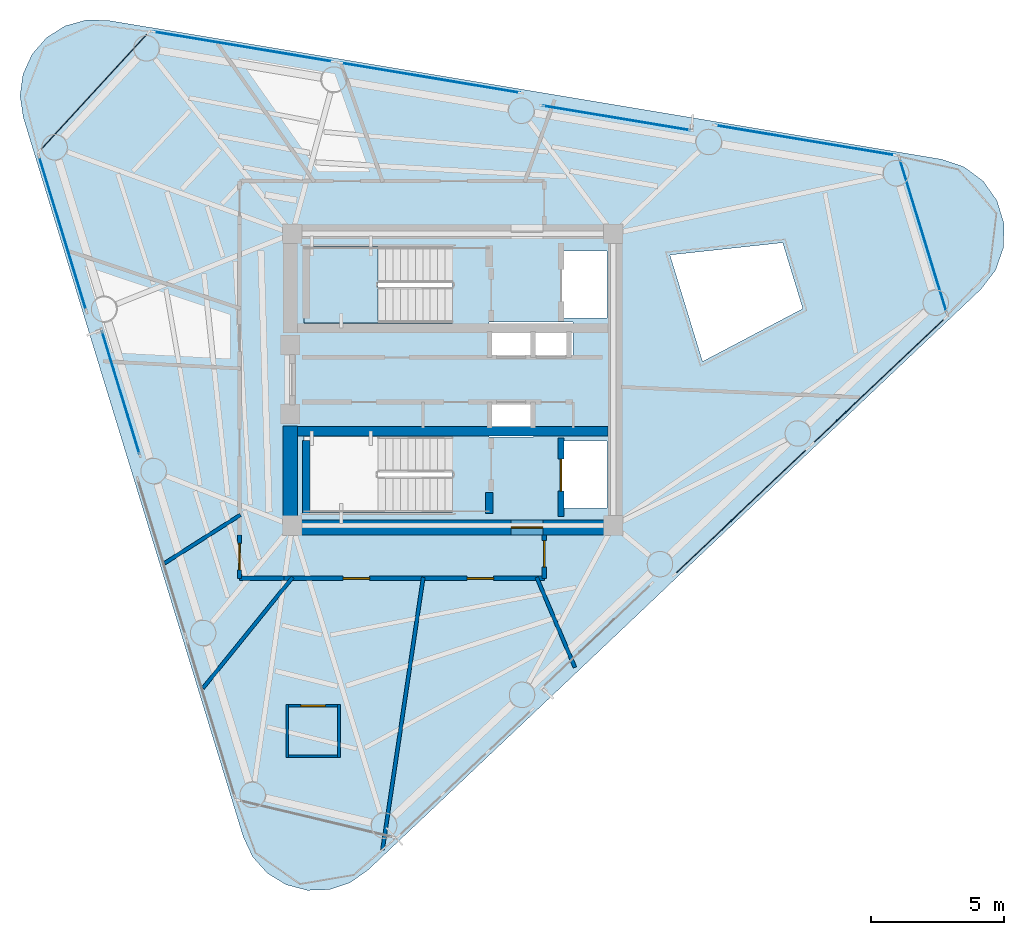
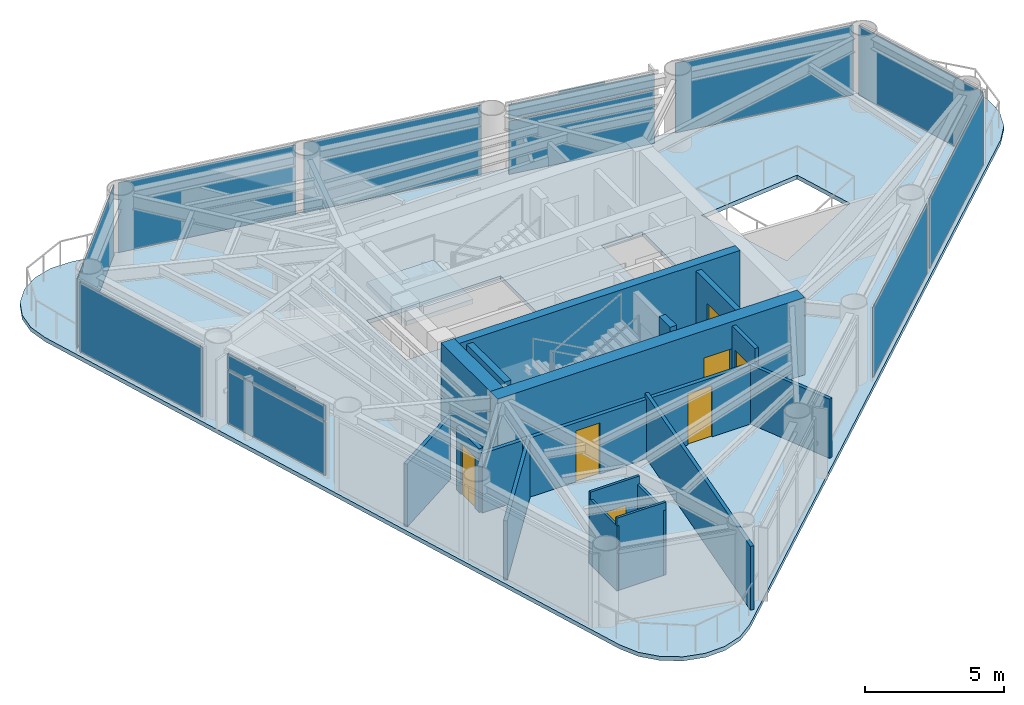
# One storey, part 5 of 9: 18 walls, 14 plates, 7 doors, 2 slabs, 7 openings, 11 elements without a shape of their own.
"""IFC4 building model written with IfcOpenShell, lengths in metres."""

from ifc_helpers import new_model, si_unit, direction, frame, frame_2d, origin, origin_2d, place, context, subcontext, project, spatial, polyline, rectangle, outline, extrude, source, transform, mapped, material, layer, layer_set, type_object, element, fill, aggregate, save


model = new_model("IFC4")

# Units and contexts
model_context = context("Model", 3, precision=1e-05, world=origin(), true_north=direction((0.0, 1.0)))
body_context = subcontext(model_context, "Body", "Model", "MODEL_VIEW")
ifc_project = project(units=[si_unit("LENGTHUNIT", "METRE"), si_unit("AREAUNIT", "SQUARE_METRE"), si_unit("VOLUMEUNIT", "CUBIC_METRE"), si_unit("PLANEANGLEUNIT", "RADIAN"), si_unit("MASSUNIT", "GRAM", prefix="KILO")], contexts=[model_context])

# Site, building, storey
site_placement = place(None, origin())
site = spatial("IfcSite", under=ifc_project, at=site_placement, CompositionType="ELEMENT")
building_placement = place(site_placement, origin())
building = spatial("IfcBuilding", under=site, at=building_placement, Name="Yunling Apex Tower", CompositionType="ELEMENT")
storey_placement = place(building_placement, frame((0.0, 0.0, 228.64990234375)))
storey = spatial("IfcBuildingStorey", under=building, at=storey_placement, Name="L55", CompositionType="ELEMENT", Elevation=228.64990234375)

# Slab
ifc_material_1 = material(Name="Concrete C40", Category="concrete")
ifc_layer_1 = layer(ifc_material_1, 0.155029296875)
ifc_layer_set_1 = layer_set([ifc_layer_1], Name="Concrete C40")
slab_type_1 = type_object("IfcSlabType", Name="SL-FLR-3", PredefinedType="FLOOR", material=ifc_layer_set_1)
slab_1_placement = place(storey_placement, frame((0.0, 0.0, -0.179931640625)))
element("IfcSlab", 1, at=slab_1_placement, inside=storey, type_object=slab_type_1, Name="L55 Composite Tower Floor Slab", PredefinedType="FLOOR", context=body_context, shape_type="SweptSolid", body=[
    extrude(outline(polyline([(-7.894287109375, -17.243408203125), (-7.54052734375, -17.991455078125), (-6.9873046875, -18.60693359375), (-6.281005859375, -19.0380859375), (-5.480712890625, -19.249267578125), (-4.65380859375, -19.22216796875), (-3.868896484375, -18.959716796875), (-3.192138671875, -18.483154296875), (19.91064453125, 3.409912109375), (20.459716796875, 4.126220703125), (20.7578125, 4.977783203125), (20.776123046875, 5.880126953125), (20.51220703125, 6.7431640625), (19.99267578125, 7.48095703125), (19.26904296875, 8.02001953125), (18.41357421875, 8.306884765625), (-12.982177734375, 13.538330078125), (-13.8095703125, 13.5546875), (-14.60693359375, 13.33349609375), (-15.307861328125, 12.8935546875), (-15.853271484375, 12.27099609375), (-16.197509765625, 11.5185546875), (-16.31201171875, 10.698974609375), (-16.187255859375, 9.881103515625), (-7.894287109375, -17.243408203125)]), holes=[polyline([(8.18408203125, 4.697998046875), (12.434326171875, 5.160888671875), (13.194580078125, 2.674560546875), (9.412109375, 0.681640625), (8.18408203125, 4.697998046875)]), polyline([(4.090087890625, -2.320068359375), (5.81005859375, -2.320068359375), (5.81005859375, -4.840087890625), (4.090087890625, -4.840087890625), (4.090087890625, -2.320068359375)]), polyline([(4.090087890625, 4.840087890625), (5.81005859375, 4.840087890625), (5.81005859375, 2.320068359375), (4.090087890625, 2.320068359375), (4.090087890625, 4.840087890625)]), polyline([(1.364990234375, 0.794921875), (1.364990234375, 2.1650390625), (4.534912109375, 2.1650390625), (4.534912109375, 0.794921875), (1.364990234375, 0.794921875)]), polyline([(1.364990234375, -0.794921875), (3.034912109375, -0.794921875), (3.034912109375, -2.1650390625), (1.364990234375, -2.1650390625), (1.364990234375, -0.794921875)]), polyline([(-0.010009765625, -5.010009765625), (-5.60009765625, -5.010009765625), (-5.60009765625, -2.139892578125), (-0.010009765625, -2.139892578125), (-0.010009765625, -5.010009765625)]), polyline([(-0.010009765625, 2.139892578125), (-5.60009765625, 2.139892578125), (-5.60009765625, 5.010009765625), (-0.010009765625, 5.010009765625), (-0.010009765625, 2.139892578125)])]), origin(), (0.0, 0.0, 1.0), 0.179931640625),
])

# Stair, slab
stair_type = type_object("IfcStairType", Name="ST-TWR-3", PredefinedType="HALF_TURN_STAIR", material=ifc_material_1)
stair_placement = place(storey_placement, origin())
stair = element("IfcStair", 2, at=stair_placement, inside=storey, type_object=stair_type, Name="L55 North Core Smokeproof Exit Stair ST-1", PredefinedType="HALF_TURN_STAIR")
ifc_layer_2 = layer(ifc_material_1, 0.195068359375)
ifc_layer_set_2 = layer_set([ifc_layer_2], Name="Concrete C40")
slab_type_2 = type_object("IfcSlabType", Name="SL-LND-1", PredefinedType="LANDING", material=ifc_layer_set_2)
slab_2_placement = place(storey_placement, frame((0.0, 0.0, 1.505126953125)))
slab_2 = element("IfcSlab", 3, at=slab_2_placement, type_object=slab_type_2, Name="ST-1 landing 1", PredefinedType="LANDING", context=body_context, shape_type="SweptSolid", body=[
    extrude(outline(polyline([(-2.81005859375, 5.010009765625), (-5.60009765625, 5.010009765625), (-5.60009765625, 2.139892578125), (-2.81005859375, 2.139892578125), (-2.81005859375, 5.010009765625)])), origin(), (0.0, 0.0, 1.0), 0.195068359375),
])
aggregate(stair, [slab_2])

# Plates
ifc_material_2 = material(Name="Bronze anodised aluminium", Category="aluminium")
ifc_layer_3 = layer(ifc_material_2, 0.011962890625)
ifc_layer_set_3 = layer_set([ifc_layer_3], Name="Bronze anodised aluminium")
plate_type_1 = type_object("IfcPlateType", Name="SP-SHT-1", PredefinedType="SHEET", material=ifc_layer_set_3)
shared_shape_1 = source(origin(), body_context, "Body", "SweptSolid", [
    extrude(rectangle(XDim=1.800048828125, YDim=0.02392578125, at=origin_2d()), origin(), (0.0, 0.0, 1.0), 0.43994140625),
])
for number, where, z_axis, x_axis, name in (
    (4, (6.168701171875, 9.860595703125, 2.820068359375), (0.0, 0.0, 1.0), (-0.986400586142, 0.164359008451, 0.0), "SP-GRV-L55-F2"),
    (5, (-12.5146484375, -0.489501953125, 2.820068359375), (0.0, 0.0, 1.0), (0.292371704723, -0.956304755963, 0.0), "SP-GRV-L55-F3"),
):
    element("IfcPlate", number, at=place(storey_placement, frame(where, z_axis=z_axis, x_axis=x_axis)), inside=storey, type_object=plate_type_1, Name=name, PredefinedType="SHEET", context=body_context, shape_type="MappedRepresentation", body=[
        mapped(shared_shape_1, transform((0.0, 0.0, 0.0), scale=1.0)),
    ])

# Curtain wall, plates
ifc_layer_4 = layer(ifc_material_2, 0.219970703125)
ifc_layer_set_4 = layer_set([ifc_layer_4], Name="Bronze anodised aluminium")
curtain_wall_type = type_object("IfcCurtainWallType", Name="CW-SYS-4", PredefinedType="NOTDEFINED", material=ifc_layer_set_4)
curtain_wall_1_placement = place(storey_placement, origin())
curtain_wall_1 = element("IfcCurtainWall", 6, at=curtain_wall_1_placement, inside=storey, type_object=curtain_wall_type, Name="CW-L55-F2-B2", PredefinedType="NOTDEFINED")
ifc_material_3 = material(Name="Bronze tinted low-E glass", Category="glass")
ifc_layer_5 = layer(ifc_material_3, 0.030029296875)
ifc_layer_set_5 = layer_set([ifc_layer_5], Name="Bronze tinted low-E glass")
plate_type_2 = type_object("IfcPlateType", Name="CW-PNL-4", PredefinedType="CURTAIN_PANEL", material=ifc_layer_set_5)
shared_shape_2 = source(origin(), body_context, "Body", "SweptSolid", [
    extrude(rectangle(XDim=5.617431640625, YDim=0.030029296875, at=origin_2d()), origin(), (0.0, 0.0, 1.0), 2.34326171875),
])
plate_1_placement = place(storey_placement, frame((6.168701171875, 9.860595703125, 0.072021484375), z_axis=(0.0, 0.0, 1.0), x_axis=(-0.986398614513, 0.164370840747, 0.0)))
plate_1 = element("IfcPlate", 7, at=plate_1_placement, type_object=plate_type_2, Name="CW-SYS-4 panel 1.1", PredefinedType="CURTAIN_PANEL", context=body_context, shape_type="MappedRepresentation", body=[
    mapped(shared_shape_2, transform((0.0, 0.0, 0.0), scale=1.0)),
])
shared_shape_3 = source(origin(), body_context, "Body", "SweptSolid", [
    extrude(rectangle(XDim=5.617431640625, YDim=0.030029296875, at=origin_2d()), origin(), (0.0, 0.0, 1.0), 0.668701171875),
])
plate_2_placement = place(storey_placement, frame((6.168701171875, 9.860595703125, 2.4794921875), z_axis=(0.0, 0.0, 1.0), x_axis=(-0.986398614513, 0.164370840747, 0.0)))
plate_2 = element("IfcPlate", 8, at=plate_2_placement, type_object=plate_type_2, Name="CW-SYS-4 panel 1.2", PredefinedType="CURTAIN_PANEL", context=body_context, shape_type="MappedRepresentation", body=[
    mapped(shared_shape_3, transform((0.0, 0.0, 0.0), scale=1.0)),
])
aggregate(curtain_wall_1, [plate_1, plate_2])

# Curtain wall, plate
curtain_wall_2_placement = place(storey_placement, origin())
curtain_wall_2 = element("IfcCurtainWall", 9, at=curtain_wall_2_placement, inside=storey, type_object=curtain_wall_type, Name="CW-L55-F1-B3", PredefinedType="NOTDEFINED")
shared_shape_4 = source(origin(), body_context, "Body", "SweptSolid", [
    extrude(rectangle(XDim=6.857421875, YDim=0.030029296875, at=origin_2d()), origin(), (0.0, 0.0, 1.0), 3.075927734375),
])
plate_3_placement = place(storey_placement, frame((10.862060546875, -4.97216796875, 0.072265625), z_axis=(0.0, 0.0, 1.0), x_axis=(0.72585471909, 0.687848040467, 0.0)))
plate_3 = element("IfcPlate", 10, at=plate_3_placement, type_object=plate_type_2, Name="CW-SYS-4 panel 1.1", PredefinedType="CURTAIN_PANEL", context=body_context, shape_type="MappedRepresentation", body=[
    mapped(shared_shape_4, transform((0.0, 0.0, 0.0), scale=1.0)),
])
aggregate(curtain_wall_2, [plate_3])

curtain_wall_3_placement = place(storey_placement, origin())
curtain_wall_3 = element("IfcCurtainWall", 11, at=curtain_wall_3_placement, inside=storey, type_object=curtain_wall_type, Name="CW-L55-F1-B4", PredefinedType="NOTDEFINED")
plate_4_placement = place(storey_placement, frame((16.060302734375, -0.046142578125, 0.072265625), z_axis=(0.0, 0.0, 1.0), x_axis=(0.72585471909, 0.687848040467, 0.0)))
plate_4 = element("IfcPlate", 12, at=plate_4_placement, type_object=plate_type_2, Name="CW-SYS-4 panel 1.1", PredefinedType="CURTAIN_PANEL", context=body_context, shape_type="MappedRepresentation", body=[
    mapped(shared_shape_4, transform((0.0, 0.0, 0.0), scale=1.0)),
])
aggregate(curtain_wall_3, [plate_4])

curtain_wall_4_placement = place(storey_placement, origin())
curtain_wall_4 = element("IfcCurtainWall", 13, at=curtain_wall_4_placement, inside=storey, type_object=curtain_wall_type, Name="CW-L55-F2-B1", PredefinedType="NOTDEFINED")
plate_5_placement = place(storey_placement, frame((13.288818359375, 9.01904296875, 0.072265625), z_axis=(0.0, 0.0, 1.0), x_axis=(-0.9864016432, 0.164352664392, 0.0)))
plate_5 = element("IfcPlate", 14, at=plate_5_placement, type_object=plate_type_2, Name="CW-SYS-4 panel 1.1", PredefinedType="CURTAIN_PANEL", context=body_context, shape_type="MappedRepresentation", body=[
    mapped(shared_shape_4, transform((0.0, 0.0, 0.0), scale=1.0)),
])
aggregate(curtain_wall_4, [plate_5])

curtain_wall_5_placement = place(storey_placement, origin())
curtain_wall_5 = element("IfcCurtainWall", 15, at=curtain_wall_5_placement, inside=storey, type_object=curtain_wall_type, Name="CW-L55-F2-B3", PredefinedType="NOTDEFINED")
plate_6_placement = place(storey_placement, frame((-0.83935546875, 11.373046875, 0.072265625), z_axis=(0.0, 0.0, 1.0), x_axis=(-0.9864016432, 0.164352664392, 0.0)))
plate_6 = element("IfcPlate", 16, at=plate_6_placement, type_object=plate_type_2, Name="CW-SYS-4 panel 1.1", PredefinedType="CURTAIN_PANEL", context=body_context, shape_type="MappedRepresentation", body=[
    mapped(shared_shape_4, transform((0.0, 0.0, 0.0), scale=1.0)),
])
aggregate(curtain_wall_5, [plate_6])

curtain_wall_6_placement = place(storey_placement, origin())
curtain_wall_6 = element("IfcCurtainWall", 17, at=curtain_wall_6_placement, inside=storey, type_object=curtain_wall_type, Name="CW-L55-F2-B4", PredefinedType="NOTDEFINED")
plate_7_placement = place(storey_placement, frame((-7.9033203125, 12.550048828125, 0.072265625), z_axis=(0.0, 0.0, 1.0), x_axis=(-0.9864016432, 0.164352664392, 0.0)))
plate_7 = element("IfcPlate", 18, at=plate_7_placement, type_object=plate_type_2, Name="CW-SYS-4 panel 1.1", PredefinedType="CURTAIN_PANEL", context=body_context, shape_type="MappedRepresentation", body=[
    mapped(shared_shape_4, transform((0.0, 0.0, 0.0), scale=1.0)),
])
aggregate(curtain_wall_6, [plate_7])

curtain_wall_7_placement = place(storey_placement, origin())
curtain_wall_7 = element("IfcCurtainWall", 19, at=curtain_wall_7_placement, inside=storey, type_object=curtain_wall_type, Name="CW-L55-CRN1", PredefinedType="NOTDEFINED")
shared_shape_5 = source(origin(), body_context, "Body", "SweptSolid", [
    extrude(rectangle(XDim=6.108642578125, YDim=0.030029296875, at=origin_2d()), origin(), (0.0, 0.0, 1.0), 3.075927734375),
])
plate_8_placement = place(storey_placement, frame((17.7314453125, 5.421142578125, 0.072265625), z_axis=(0.0, 0.0, 1.0), x_axis=(-0.292369275379, 0.956305498685, 0.0)))
plate_8 = element("IfcPlate", 20, at=plate_8_placement, type_object=plate_type_2, Name="CW-SYS-4 panel 1.1", PredefinedType="CURTAIN_PANEL", context=body_context, shape_type="MappedRepresentation", body=[
    mapped(shared_shape_5, transform((0.0, 0.0, 0.0), scale=1.0)),
])
aggregate(curtain_wall_7, [plate_8])

curtain_wall_8_placement = place(storey_placement, origin())
curtain_wall_8 = element("IfcCurtainWall", 21, at=curtain_wall_8_placement, inside=storey, type_object=curtain_wall_type, Name="CW-L55-CRN2", PredefinedType="NOTDEFINED")
shared_shape_6 = source(origin(), body_context, "Body", "SweptSolid", [
    extrude(rectangle(XDim=6.033203125, YDim=0.030029296875, at=origin_2d()), origin(), (0.0, 0.0, 1.0), 3.075927734375),
])
plate_9_placement = place(storey_placement, frame((-13.529052734375, 10.84521484375, 0.072265625), z_axis=(0.0, 0.0, 1.0), x_axis=(-0.676835909266, -0.736133922549, 0.0)))
plate_9 = element("IfcPlate", 22, at=plate_9_placement, type_object=plate_type_2, Name="CW-SYS-4 panel 1.1", PredefinedType="CURTAIN_PANEL", context=body_context, shape_type="MappedRepresentation", body=[
    mapped(shared_shape_6, transform((0.0, 0.0, 0.0), scale=1.0)),
])
aggregate(curtain_wall_8, [plate_9])

curtain_wall_9_placement = place(storey_placement, origin())
curtain_wall_9 = element("IfcCurtainWall", 23, at=curtain_wall_9_placement, inside=storey, type_object=curtain_wall_type, Name="CW-L55-F3-B1", PredefinedType="NOTDEFINED")
shared_shape_7 = source(origin(), body_context, "Body", "SweptSolid", [
    extrude(rectangle(XDim=6.077880859375, YDim=0.030029296875, at=origin_2d()), origin(), (0.0, 0.0, 1.0), 3.075927734375),
])
plate_10_placement = place(storey_placement, frame((-14.705810546875, 5.51416015625, 0.072265625), z_axis=(0.0, 0.0, 1.0), x_axis=(0.29237206414, -0.956304646078, 0.0)))
plate_10 = element("IfcPlate", 24, at=plate_10_placement, type_object=plate_type_2, Name="CW-SYS-4 panel 1.1", PredefinedType="CURTAIN_PANEL", context=body_context, shape_type="MappedRepresentation", body=[
    mapped(shared_shape_7, transform((0.0, 0.0, 0.0), scale=1.0)),
])
aggregate(curtain_wall_9, [plate_10])

# Curtain wall, plates
curtain_wall_10_placement = place(storey_placement, origin())
curtain_wall_10 = element("IfcCurtainWall", 25, at=curtain_wall_10_placement, inside=storey, type_object=curtain_wall_type, Name="CW-L55-F3-B2", PredefinedType="NOTDEFINED")
shared_shape_8 = source(origin(), body_context, "Body", "SweptSolid", [
    extrude(rectangle(XDim=4.837890625, YDim=0.030029296875, at=origin_2d()), origin(), (0.0, 0.0, 1.0), 2.34326171875),
])
plate_11_placement = place(storey_placement, frame((-12.5146484375, -0.489501953125, 0.072021484375), z_axis=(0.0, 0.0, 1.0), x_axis=(0.29237304737, -0.956304345474, 0.0)))
plate_11 = element("IfcPlate", 26, at=plate_11_placement, type_object=plate_type_2, Name="CW-SYS-4 panel 1.1", PredefinedType="CURTAIN_PANEL", context=body_context, shape_type="MappedRepresentation", body=[
    mapped(shared_shape_8, transform((0.0, 0.0, 0.0), scale=1.0)),
])
shared_shape_9 = source(origin(), body_context, "Body", "SweptSolid", [
    extrude(rectangle(XDim=4.837890625, YDim=0.030029296875, at=origin_2d()), origin(), (0.0, 0.0, 1.0), 0.668701171875),
])
plate_12_placement = place(storey_placement, frame((-12.5146484375, -0.489501953125, 2.4794921875), z_axis=(0.0, 0.0, 1.0), x_axis=(0.29237304737, -0.956304345474, 0.0)))
plate_12 = element("IfcPlate", 27, at=plate_12_placement, type_object=plate_type_2, Name="CW-SYS-4 panel 1.2", PredefinedType="CURTAIN_PANEL", context=body_context, shape_type="MappedRepresentation", body=[
    mapped(shared_shape_9, transform((0.0, 0.0, 0.0), scale=1.0)),
])
aggregate(curtain_wall_10, [plate_11, plate_12])

# Wall, opening, door
ifc_layer_6 = layer(ifc_material_1, 0.550048828125)
ifc_layer_set_6 = layer_set([ifc_layer_6], Name="Concrete C40")
wall_type_1 = type_object("IfcWallType", Name="WL-COR-3", PredefinedType="SHEAR", material=ifc_layer_set_6)
wall_1_placement = place(storey_placement, frame((-6.39990234375, -5.574951171875, 0.0), z_axis=(0.0, 0.0, 1.0), x_axis=(1.0, 0.0, 0.0)))
wall_1 = element("IfcWall", 28, at=wall_1_placement, inside=storey, type_object=wall_type_1, Name="L55 South Core Shear Wall", PredefinedType="SHEAR", context=body_context, shape_type="SweptSolid", body=[
    extrude(rectangle(XDim=12.7998046875, YDim=0.550048828125, at=frame_2d((6.39990234375, 0.0))), origin(), (0.0, 0.0, 1.0), 3.400146484375),
])
opening_1_placement = place(wall_1_placement, frame((8.60009765625, 0.0, 0.0)))
opening_1 = element("IfcOpeningElement", 29, at=opening_1_placement, cuts=wall_1, Name="Opening DR-FFL-1", PredefinedType="OPENING", context=body_context, shape_type="SweptSolid", body=[
    extrude(rectangle(XDim=1.199951171875, YDim=2.199951171875, at=frame_2d((0.60009765625, 1.10009765625))), frame((0.0, 0.28515625, 0.0), z_axis=(0.0, -1.0, 0.0), x_axis=(1.0, 0.0, 0.0)), (0.0, 0.0, 1.0), 0.570068359375),
])
ifc_material_4 = material(Name="Steel Q355B", Category="steel")
door_type_1 = type_object("IfcDoorType", Name="DR-FFL-1", OperationType="NOTDEFINED", PredefinedType="DOOR", material=ifc_material_4)
door_1_placement = place(opening_1_placement, origin())
door_1 = element("IfcDoor", 30, at=door_1_placement, inside=storey, type_object=door_type_1, Name="L55 South Firefighting Lobby Door", OperationType="SINGLE_SWING_RIGHT", OverallHeight=2.199951171875, OverallWidth=1.199951171875, PredefinedType="DOOR", context=body_context, shape_type="SweptSolid", body=[
    extrude(rectangle(XDim=1.199951171875, YDim=2.199951171875, at=frame_2d((0.60009765625, 1.10009765625))), frame((0.0, 0.02490234375, 0.0), z_axis=(0.0, -1.0, 0.0), x_axis=(1.0, 0.0, 0.0)), (0.0, 0.0, 1.0), 0.050048828125),
])
fill(opening_1, door_1)

# Walls
wall_2_placement = place(storey_placement, frame((-6.125, -5.300048828125, 0.0), z_axis=(0.0, 0.0, 1.0), x_axis=(0.0, 1.0, 0.0)))
element("IfcWall", 31, at=wall_2_placement, inside=storey, type_object=wall_type_1, Name="L55 West-South Core Shear Wall", PredefinedType="SHEAR", context=body_context, shape_type="SweptSolid", body=[
    extrude(rectangle(XDim=3.550048828125, YDim=0.550048828125, at=frame_2d((1.77490234375, 0.0))), origin(), (0.0, 0.0, 1.0), 3.400146484375),
])
ifc_layer_7 = layer(ifc_material_1, 0.360107421875)
ifc_layer_set_7 = layer_set([ifc_layer_7], Name="Concrete C40")
wall_type_2 = type_object("IfcWallType", Name="WL-COR-4", PredefinedType="SHEAR", material=ifc_layer_set_7)
wall_3_placement = place(storey_placement, frame((-5.85009765625, -1.93994140625, 0.0), z_axis=(0.0, 0.0, 1.0), x_axis=(1.0, 0.0, 0.0)))
element("IfcWall", 32, at=wall_3_placement, inside=storey, type_object=wall_type_2, Name="L55 South Internal Core Shear Wall", PredefinedType="SHEAR", context=body_context, shape_type="SweptSolid", body=[
    extrude(rectangle(XDim=11.7001953125, YDim=0.360107421875, at=frame_2d((5.85009765625, 0.0))), origin(), (0.0, 0.0, 1.0), 3.400146484375),
])
ifc_layer_8 = layer(ifc_material_1, 0.280029296875)
ifc_layer_set_8 = layer_set([ifc_layer_8], Name="Concrete C40")
wall_type_3 = type_object("IfcWallType", Name="WL-COR-8", PredefinedType="SHEAR", material=ifc_layer_set_8)
wall_4_placement = place(storey_placement, frame((-5.52001953125, -5.050048828125, 0.0), z_axis=(0.0, 0.0, 1.0), x_axis=(0.0, 1.0, 0.0)))
element("IfcWall", 33, at=wall_4_placement, inside=storey, type_object=wall_type_3, Name="L55 ST-2 West Landing Bearing Wall", PredefinedType="SHEAR", context=body_context, shape_type="SweptSolid", body=[
    extrude(rectangle(XDim=2.75, YDim=0.280029296875, at=frame_2d((1.375, 0.0))), origin(), (0.0, 0.0, 1.0), 3.400146484375),
])
wall_5_placement = place(storey_placement, frame((1.3798828125, -5.050048828125, 0.0), z_axis=(0.0, 0.0, 1.0), x_axis=(0.0, 1.0, 0.0)))
element("IfcWall", 34, at=wall_5_placement, inside=storey, type_object=wall_type_3, Name="L55 ST-2 East Landing Bearing Pier", PredefinedType="SHEAR", context=body_context, shape_type="SweptSolid", body=[
    extrude(rectangle(XDim=0.800048828125, YDim=0.280029296875, at=frame_2d((0.39990234375, 0.0))), origin(), (0.0, 0.0, 1.0), 3.400146484375),
])

# Wall, opening, door
ifc_material_5 = material(Name="Gypsum board acoustic partition")
ifc_layer_9 = layer(ifc_material_5, 0.159912109375)
ifc_layer_set_9 = layer_set([ifc_layer_9], Name="Gypsum board acoustic partition")
wall_type_4 = type_object("IfcWallType", Name="WL-PRT-1", PredefinedType="PARTITIONING", material=ifc_layer_set_9)
wall_6_placement = place(storey_placement, frame((3.449951171875, -5.85009765625, 0.0), z_axis=(0.0, 0.0, 1.0), x_axis=(0.0, -1.0, 0.0)))
wall_6 = element("IfcWall", 35, at=wall_6_placement, inside=storey, type_object=wall_type_4, Name="WL-CORR-L55-05", PredefinedType="PARTITIONING", context=body_context, shape_type="SweptSolid", body=[
    extrude(rectangle(XDim=1.639892578125, YDim=0.159912109375, at=frame_2d((0.81982421875, 0.0))), origin(), (0.0, 0.0, 1.0), 3.2001953125),
])
opening_2_placement = place(wall_6_placement, frame((0.219970703125, 0.0, 0.0)))
opening_2 = element("IfcOpeningElement", 36, at=opening_2_placement, cuts=wall_6, Name="Opening DR-OFF-1", PredefinedType="OPENING", context=body_context, shape_type="SweptSolid", body=[
    extrude(rectangle(XDim=1.0, YDim=2.25, at=frame_2d((0.5, 1.125))), frame((0.0, 0.08984375, 0.0), z_axis=(0.0, -1.0, 0.0), x_axis=(1.0, 0.0, 0.0)), (0.0, 0.0, 1.0), 0.179931640625),
])
door_type_2 = type_object("IfcDoorType", Name="DR-OFF-1", OperationType="NOTDEFINED", PredefinedType="DOOR", material=ifc_material_2)
door_2_placement = place(opening_2_placement, origin())
door_2 = element("IfcDoor", 37, at=door_2_placement, inside=storey, type_object=door_type_2, Name="L55 Residents Sky Reading Lounge Door", OperationType="SINGLE_SWING_LEFT", OverallHeight=2.25, OverallWidth=1.0, PredefinedType="DOOR", context=body_context, shape_type="SweptSolid", body=[
    extrude(rectangle(XDim=1.0, YDim=2.25, at=frame_2d((0.5, 1.125))), frame((0.0, 0.02490234375, 0.0), z_axis=(0.0, -1.0, 0.0), x_axis=(1.0, 0.0, 0.0)), (0.0, 0.0, 1.0), 0.050048828125),
])
fill(opening_2, door_2)

# Wall, openings, doors
wall_7_placement = place(storey_placement, frame((3.449951171875, -7.489990234375, 0.0), z_axis=(0.0, 0.0, 1.0), x_axis=(-1.0, 0.0, 0.0)))
wall_7 = element("IfcWall", 38, at=wall_7_placement, inside=storey, type_object=wall_type_4, Name="WL-CORR-L55-06", PredefinedType="PARTITIONING", context=body_context, shape_type="SweptSolid", body=[
    extrude(rectangle(XDim=9.81005859375, YDim=0.159912109375, at=frame_2d((4.905029296875, 0.0))), origin(), (0.0, 0.0, 1.0), 2.60498046875),
])
opening_3_placement = place(wall_7_placement, frame((1.910888671875, 0.0, 0.0)))
opening_3 = element("IfcOpeningElement", 39, at=opening_3_placement, cuts=wall_7, Name="Opening DR-OFF-1", PredefinedType="OPENING", context=body_context, shape_type="SweptSolid", body=[
    extrude(rectangle(XDim=1.0, YDim=2.25, at=frame_2d((0.5, 1.125))), frame((0.0, 0.08984375, 0.0), z_axis=(0.0, -1.0, 0.0), x_axis=(1.0, 0.0, 0.0)), (0.0, 0.0, 1.0), 0.179931640625),
])
opening_4_placement = place(wall_7_placement, frame((6.58349609375, 0.0, 0.0)))
opening_4 = element("IfcOpeningElement", 40, at=opening_4_placement, cuts=wall_7, Name="Opening DR-OFF-1", PredefinedType="OPENING", context=body_context, shape_type="SweptSolid", body=[
    extrude(rectangle(XDim=1.0, YDim=2.25, at=frame_2d((0.5, 1.125))), frame((0.0, 0.08984375, 0.0), z_axis=(0.0, -1.0, 0.0), x_axis=(1.0, 0.0, 0.0)), (0.0, 0.0, 1.0), 0.179931640625),
])
door_3_placement = place(opening_3_placement, origin())
door_3 = element("IfcDoor", 41, at=door_3_placement, inside=storey, type_object=door_type_2, Name="L55 Residents Fitness Club Door", OperationType="SINGLE_SWING_RIGHT", OverallHeight=2.25, OverallWidth=1.0, PredefinedType="DOOR", context=body_context, shape_type="SweptSolid", body=[
    extrude(rectangle(XDim=1.0, YDim=2.25, at=frame_2d((0.5, 1.125))), frame((0.0, 0.02490234375, 0.0), z_axis=(0.0, -1.0, 0.0), x_axis=(1.0, 0.0, 0.0)), (0.0, 0.0, 1.0), 0.050048828125),
])
fill(opening_3, door_3)
door_4_placement = place(opening_4_placement, origin())
door_4 = element("IfcDoor", 42, at=door_4_placement, inside=storey, type_object=door_type_2, Name="L55 Residents Sky Reading Lounge Door", OperationType="SINGLE_SWING_LEFT", OverallHeight=2.25, OverallWidth=1.0, PredefinedType="DOOR", context=body_context, shape_type="SweptSolid", body=[
    extrude(rectangle(XDim=1.0, YDim=2.25, at=frame_2d((0.5, 1.125))), frame((0.0, 0.02490234375, 0.0), z_axis=(0.0, -1.0, 0.0), x_axis=(1.0, 0.0, 0.0)), (0.0, 0.0, 1.0), 0.050048828125),
])
fill(opening_4, door_4)

# Wall
wall_8_placement = place(storey_placement, frame((-6.360107421875, -7.489990234375, 0.0), z_axis=(0.0, 0.0, 1.0), x_axis=(-1.0, 0.0, 0.0)))
element("IfcWall", 43, at=wall_8_placement, inside=storey, type_object=wall_type_4, Name="WL-CORR-L55-07", PredefinedType="PARTITIONING", context=body_context, shape_type="SweptSolid", body=[
    extrude(rectangle(XDim=1.679931640625, YDim=0.159912109375, at=frame_2d((0.83984375, 0.0))), origin(), (0.0, 0.0, 1.0), 2.60498046875),
])

# Wall, opening, door
wall_9_placement = place(storey_placement, frame((-8.0400390625, -7.489990234375, 0.0), z_axis=(0.0, 0.0, 1.0), x_axis=(0.0, 1.0, 0.0)))
wall_9 = element("IfcWall", 44, at=wall_9_placement, inside=storey, type_object=wall_type_4, Name="WL-CORR-L55-08", PredefinedType="PARTITIONING", context=body_context, shape_type="SweptSolid", body=[
    extrude(rectangle(XDim=1.639892578125, YDim=0.159912109375, at=frame_2d((0.81982421875, 0.0))), origin(), (0.0, 0.0, 1.0), 2.80517578125),
])
opening_5_placement = place(wall_9_placement, frame((0.320068359375, 0.0, 0.0)))
opening_5 = element("IfcOpeningElement", 45, at=opening_5_placement, cuts=wall_9, Name="Opening DR-OFF-1", PredefinedType="OPENING", context=body_context, shape_type="SweptSolid", body=[
    extrude(rectangle(XDim=1.0, YDim=2.25, at=frame_2d((0.5, 1.125))), frame((0.0, 0.08984375, 0.0), z_axis=(0.0, -1.0, 0.0), x_axis=(1.0, 0.0, 0.0)), (0.0, 0.0, 1.0), 0.179931640625),
])
door_5_placement = place(opening_5_placement, origin())
door_5 = element("IfcDoor", 46, at=door_5_placement, inside=storey, type_object=door_type_2, Name="L55 Residents Fitness Club Door", OperationType="SINGLE_SWING_RIGHT", OverallHeight=2.25, OverallWidth=1.0, PredefinedType="DOOR", context=body_context, shape_type="SweptSolid", body=[
    extrude(rectangle(XDim=1.0, YDim=2.25, at=frame_2d((0.5, 1.125))), frame((0.0, 0.02490234375, 0.0), z_axis=(0.0, -1.0, 0.0), x_axis=(1.0, 0.0, 0.0)), (0.0, 0.0, 1.0), 0.050048828125),
])
fill(opening_5, door_5)

# Walls
ifc_layer_10 = layer(ifc_material_5, 0.139892578125)
ifc_layer_set_10 = layer_set([ifc_layer_10], Name="Gypsum board acoustic partition")
wall_type_5 = type_object("IfcWallType", Name="WL-PRT-2", PredefinedType="PARTITIONING", material=ifc_layer_set_10)
wall_10_placement = place(storey_placement, frame((-8.0, -5.0966796875, 0.0), z_axis=(0.0, 0.0, 1.0), x_axis=(-0.843391828446, -0.537299007733, 0.0)))
element("IfcWall", 47, at=wall_10_placement, inside=storey, type_object=wall_type_5, Name="WL-RAD-L55-07", PredefinedType="PARTITIONING", context=body_context, shape_type="SweptSolid", body=[
    extrude(rectangle(XDim=3.393798828125, YDim=0.139892578125, at=frame_2d((1.69677734375, 0.0))), origin(), (0.0, 0.0, 1.0), 2.76513671875),
])
wall_11_placement = place(storey_placement, frame((-6.032958984375, -7.449951171875, 0.0), z_axis=(0.0, 0.0, 1.0), x_axis=(-0.629318234002, -0.777147708195, 0.0)))
element("IfcWall", 48, at=wall_11_placement, inside=storey, type_object=wall_type_5, Name="WL-RAD-L55-08", PredefinedType="PARTITIONING", context=body_context, shape_type="SweptSolid", body=[
    extrude(rectangle(XDim=5.3837890625, YDim=0.139892578125, at=frame_2d((2.69189453125, 0.0))), origin(), (0.0, 0.0, 1.0), 2.60498046875),
])
wall_12_placement = place(storey_placement, frame((-1.11328125, -7.449951171875, 0.0), z_axis=(0.0, 0.0, 1.0), x_axis=(-0.147817313856, -0.989014682259, 0.0)))
element("IfcWall", 49, at=wall_12_placement, inside=storey, type_object=wall_type_5, Name="WL-RAD-L55-09", PredefinedType="PARTITIONING", context=body_context, shape_type="SweptSolid", body=[
    extrude(rectangle(XDim=10.3837890625, YDim=0.139892578125, at=frame_2d((5.19189453125, 0.0))), origin(), (0.0, 0.0, 1.0), 2.80517578125),
])
wall_13_placement = place(storey_placement, frame((3.162353515625, -7.449951171875, 0.0), z_axis=(0.0, 0.0, 1.0), x_axis=(0.39072313519, -0.920508246366, 0.0)))
element("IfcWall", 50, at=wall_13_placement, inside=storey, type_object=wall_type_5, Name="WL-RAD-L55-10", PredefinedType="PARTITIONING", context=body_context, shape_type="SweptSolid", body=[
    extrude(rectangle(XDim=3.6904296875, YDim=0.139892578125, at=frame_2d((1.84521484375, 0.0))), origin(), (0.0, 0.0, 1.0), 2.60498046875),
])

# Wall, opening, door
ifc_layer_11 = layer(ifc_material_5, 0.10009765625)
ifc_layer_set_11 = layer_set([ifc_layer_11], Name="Gypsum board acoustic partition")
wall_type_6 = type_object("IfcWallType", Name="WL-PRT-4", PredefinedType="PARTITIONING", material=ifc_layer_set_11)
wall_14_placement = place(storey_placement, frame((-6.285888671875, -12.298095703125, 0.0), z_axis=(0.0, 0.0, 1.0), x_axis=(1.0, 0.0, 0.0)))
wall_14 = element("IfcWall", 51, at=wall_14_placement, inside=storey, type_object=wall_type_6, Name="WL-L55-RWC3N", PredefinedType="PARTITIONING", context=body_context, shape_type="SweptSolid", body=[
    extrude(rectangle(XDim=2.0498046875, YDim=0.10009765625, at=frame_2d((1.02490234375, 0.0))), origin(), (0.0, 0.0, 1.0), 3.2001953125),
])
opening_6_placement = place(wall_14_placement, frame((0.56494140625, 0.0, 0.0)))
opening_6 = element("IfcOpeningElement", 52, at=opening_6_placement, cuts=wall_14, Name="Opening DR-WC-1", PredefinedType="OPENING", context=body_context, shape_type="SweptSolid", body=[
    extrude(rectangle(XDim=0.919921875, YDim=2.10009765625, at=frame_2d((0.4599609375, 1.050048828125))), frame((0.0, 0.06005859375, 0.0), z_axis=(0.0, -1.0, 0.0), x_axis=(1.0, 0.0, 0.0)), (0.0, 0.0, 1.0), 0.1201171875),
])
ifc_material_6 = material(Name="Timber moisture-resistant leaf", Category="wood")
door_type_3 = type_object("IfcDoorType", Name="DR-WC-1", OperationType="NOTDEFINED", PredefinedType="DOOR", material=ifc_material_6)
door_6_placement = place(opening_6_placement, origin())
door_6 = element("IfcDoor", 53, at=door_6_placement, inside=storey, type_object=door_type_3, Name="L55 Accessible WC Door", OperationType="SINGLE_SWING_RIGHT", OverallHeight=2.10009765625, OverallWidth=0.919921875, PredefinedType="DOOR", context=body_context, shape_type="SweptSolid", body=[
    extrude(rectangle(XDim=0.919921875, YDim=2.10009765625, at=frame_2d((0.4599609375, 1.050048828125))), frame((0.0, 0.02490234375, 0.0), z_axis=(0.0, -1.0, 0.0), x_axis=(1.0, 0.0, 0.0)), (0.0, 0.0, 1.0), 0.050048828125),
])
fill(opening_6, door_6)

# Walls
wall_15_placement = place(storey_placement, frame((-4.236083984375, -14.197998046875, 0.0), z_axis=(0.0, 0.0, 1.0), x_axis=(-1.0, 0.0, 0.0)))
element("IfcWall", 54, at=wall_15_placement, inside=storey, type_object=wall_type_6, Name="WL-L55-RWC3S", PredefinedType="PARTITIONING", context=body_context, shape_type="SweptSolid", body=[
    extrude(rectangle(XDim=2.0498046875, YDim=0.10009765625, at=frame_2d((1.02490234375, 0.0))), origin(), (0.0, 0.0, 1.0), 3.2001953125),
])
for number, where, z_axis, x_axis, name in (
    (55, (-4.285888671875, -12.248046875, 0.0), (0.0, 0.0, 1.0), (0.0, -1.0, 0.0), "WL-L55-RWC3E"),
    (56, (-6.236083984375, -14.248046875, 0.0), (0.0, 0.0, 1.0), (0.0, 1.0, 0.0), "WL-L55-RWC3W"),
):
    element("IfcWall", number, at=place(storey_placement, frame(where, z_axis=z_axis, x_axis=x_axis)), inside=storey, type_object=wall_type_6, Name=name, PredefinedType="PARTITIONING", context=body_context, shape_type="SweptSolid", body=[
        extrude(rectangle(XDim=2.0, YDim=0.10009765625, at=frame_2d((1.0, 0.0))), origin(), (0.0, 0.0, 1.0), 2.85498046875),
    ])

# Wall, opening, door
ifc_material_7 = material(Name="Autoclaved aerated concrete masonry", Category="masonry")
ifc_layer_12 = layer(ifc_material_7, 0.219970703125)
ifc_layer_set_12 = layer_set([ifc_layer_12], Name="Autoclaved aerated concrete masonry")
wall_type_7 = type_object("IfcWallType", Name="WL-SHF-1", PredefinedType="PLUMBINGWALL", material=ifc_layer_set_12)
wall_16_placement = place(storey_placement, frame((4.080078125, -5.14990234375, 0.0), z_axis=(0.0, 0.0, 1.0), x_axis=(0.0, 1.0, 0.0)))
wall_16 = element("IfcWall", 57, at=wall_16_placement, inside=storey, type_object=wall_type_7, Name="WL-FFL2-W-L55", PredefinedType="PLUMBINGWALL", context=body_context, shape_type="SweptSolid", body=[
    extrude(rectangle(XDim=2.949951171875, YDim=0.219970703125, at=frame_2d((1.47509765625, 0.0))), origin(), (0.0, 0.0, 1.0), 3.2001953125),
])
opening_7_placement = place(wall_16_placement, frame((0.949951171875, 0.0, 0.0)))
opening_7 = element("IfcOpeningElement", 58, at=opening_7_placement, cuts=wall_16, Name="Opening LD-FFL-1", PredefinedType="OPENING", context=body_context, shape_type="SweptSolid", body=[
    extrude(rectangle(XDim=1.199951171875, YDim=2.25, at=frame_2d((0.60009765625, 1.125))), frame((0.0, 0.1201171875, 0.0), z_axis=(0.0, -1.0, 0.0), x_axis=(1.0, 0.0, 0.0)), (0.0, 0.0, 1.0), 0.239990234375),
])
door_type_4 = type_object("IfcDoorType", Name="LD-FFL-1", OperationType="DOUBLE_DOOR_SLIDING", PredefinedType="DOOR", material=ifc_material_4)
door_7_placement = place(opening_7_placement, origin())
door_7 = element("IfcDoor", 59, at=door_7_placement, inside=storey, type_object=door_type_4, Name="L55 Lift FFL-2 Landing Door", OperationType="DOUBLE_DOOR_SLIDING", OverallHeight=2.25, OverallWidth=1.199951171875, PredefinedType="DOOR", context=body_context, shape_type="SweptSolid", body=[
    extrude(rectangle(XDim=1.199951171875, YDim=2.25, at=frame_2d((0.60009765625, 1.125))), frame((0.0, 0.02490234375, 0.0), z_axis=(0.0, -1.0, 0.0), x_axis=(1.0, 0.0, 0.0)), (0.0, 0.0, 1.0), 0.050048828125),
])
fill(opening_7, door_7)

save(model, "model.ifc")
